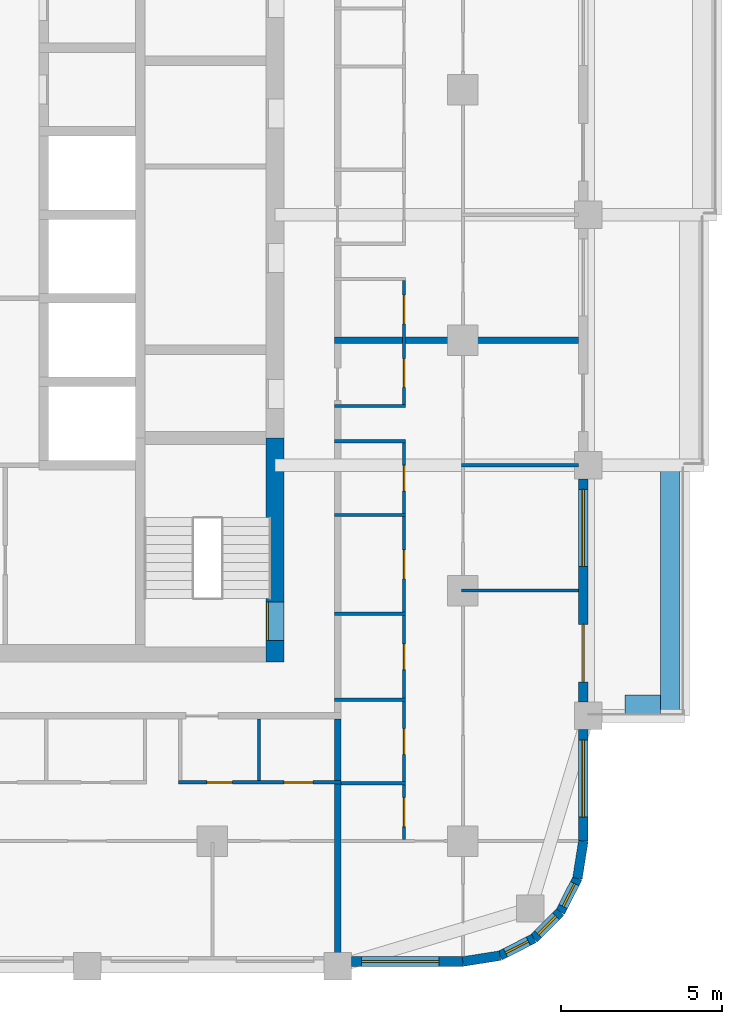
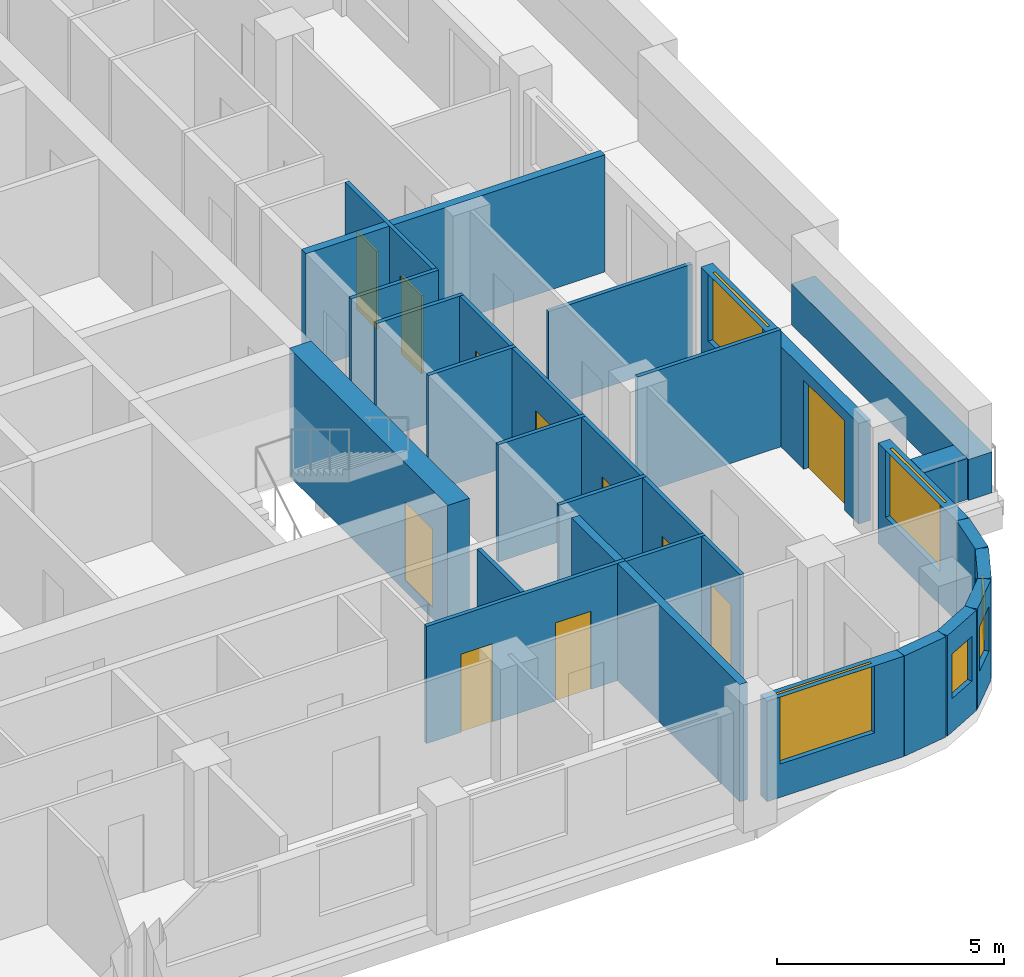
# One storey, part 6 of 13: 25 walls, 11 doors, 6 windows, 17 openings.
"""IFC4 building model written with IfcOpenShell, lengths in metres."""

from ifc_helpers import new_model, si_unit, direction, frame, frame_2d, origin, place, context, subcontext, project, spatial, rectangle, extrude, material, layer, layer_set, type_object, element, fill, save


model = new_model("IFC4")

# Units and contexts
model_context = context("Model", 3, precision=1e-05, world=origin(), true_north=direction((0.0, 1.0)))
body_context = subcontext(model_context, "Body", "Model", "MODEL_VIEW")
ifc_project = project(units=[si_unit("LENGTHUNIT", "METRE"), si_unit("AREAUNIT", "SQUARE_METRE"), si_unit("VOLUMEUNIT", "CUBIC_METRE"), si_unit("PLANEANGLEUNIT", "RADIAN"), si_unit("MASSUNIT", "GRAM", prefix="KILO")], contexts=[model_context])

# Site, building, storey
site_placement = place(None, origin())
site = spatial("IfcSite", under=ifc_project, at=site_placement, CompositionType="ELEMENT")
building_placement = place(site_placement, origin())
building = spatial("IfcBuilding", under=site, at=building_placement, Name="Ludao Terraces", CompositionType="ELEMENT")
storey_placement = place(building_placement, frame((0.0, 0.0, 123.699951171875)))
storey = spatial("IfcBuildingStorey", under=building, at=storey_placement, Name="L33", CompositionType="ELEMENT", Elevation=123.699951171875)

# Wall, opening, door
ifc_material_1 = material(Name="Concrete C60", Category="concrete")
ifc_layer_1 = layer(ifc_material_1, 0.550048828125)
ifc_layer_set_1 = layer_set([ifc_layer_1], Name="Core wall 550 C60")
wall_type_1 = type_object("IfcWallType", Name="Core wall 550 C60", PredefinedType="SOLIDWALL", material=ifc_layer_set_1)
wall_1_placement = place(storey_placement, frame((94.75, 54.97509765625, -0.300048828125), z_axis=(0.0, 0.0, 1.0), x_axis=(0.0, 1.0, 0.0)))
wall_1 = element("IfcWall", 1, at=wall_1_placement, inside=storey, type_object=wall_type_1, Name="Core wall L33 outer-E-S3", PredefinedType="SOLIDWALL", context=body_context, shape_type="SweptSolid", body=[
    extrude(rectangle(XDim=6.974853515625, YDim=0.550048828125, at=frame_2d((3.4873046875, 0.0))), origin(), (0.0, 0.0, 1.0), 3.4501953125),
])
opening_1_placement = place(wall_1_placement, frame((0.675048828125, 0.0, 0.300048828125)))
opening_1 = element("IfcOpeningElement", 2, at=opening_1_placement, cuts=wall_1, Name="Opening R10-029", PredefinedType="OPENING", context=body_context, shape_type="SweptSolid", body=[
    extrude(rectangle(XDim=1.199951171875, YDim=2.10009765625, at=frame_2d((0.60009765625, 1.050048828125))), frame((0.0, 0.28515625, 0.0), z_axis=(0.0, -1.0, 0.0), x_axis=(1.0, 0.0, 0.0)), (0.0, 0.0, 1.0), 0.570068359375),
])
ifc_material_2 = material(Name="Steel Q235", Category="steel")
door_type_1 = type_object("IfcDoorType", Name="INT Stair door 1200", OperationType="DOUBLE_DOOR_SINGLE_SWING", PredefinedType="DOOR", material=ifc_material_2)
door_1_placement = place(opening_1_placement, origin())
door_1 = element("IfcDoor", 3, at=door_1_placement, inside=storey, type_object=door_type_1, Name="DOOR 029", OperationType="DOUBLE_DOOR_SINGLE_SWING", OverallHeight=2.10009765625, OverallWidth=1.199951171875, PredefinedType="DOOR", context=body_context, shape_type="SweptSolid", body=[
    extrude(rectangle(XDim=1.199951171875, YDim=2.10009765625, at=frame_2d((0.60009765625, 1.050048828125))), frame((0.0, 0.26025390625, 0.0), z_axis=(0.0, -1.0, 0.0), x_axis=(1.0, 0.0, 0.0)), (0.0, 0.0, 1.0), 0.050048828125),
])
fill(opening_1, door_1)

# Walls
ifc_material_3 = material(Name="Concrete C40", Category="concrete")
ifc_layer_2 = layer(ifc_material_3, 0.60009765625)
ifc_layer_set_2 = layer_set([ifc_layer_2], Name="ENV Planter trough 600")
wall_type_2 = type_object("IfcWallType", Name="ENV Planter trough 600", PredefinedType="USERDEFINED", material=ifc_layer_set_2)
wall_2_placement = place(storey_placement, frame((107.050048828125, 53.300048828125, 0.0), z_axis=(0.0, 0.0, 1.0), x_axis=(0.0, 1.0, 0.0)))
element("IfcWall", 4, at=wall_2_placement, inside=storey, type_object=wall_type_2, Name="PL-L33-E1", ObjectType="PLANTER", PredefinedType="USERDEFINED", context=body_context, shape_type="SweptSolid", body=[
    extrude(rectangle(XDim=7.800048828125, YDim=0.60009765625, at=frame_2d((3.89990234375, 0.0))), origin(), (0.0, 0.0, 1.0), 1.10009765625),
])
wall_3_placement = place(storey_placement, frame((106.75, 53.64990234375, 0.0), z_axis=(0.0, 0.0, 1.0), x_axis=(-1.0, 0.0, 0.0)))
element("IfcWall", 5, at=wall_3_placement, inside=storey, type_object=wall_type_2, Name="PL-L33-E1-SA", ObjectType="PLANTER", PredefinedType="USERDEFINED", context=body_context, shape_type="SweptSolid", body=[
    extrude(rectangle(XDim=1.10009765625, YDim=0.60009765625, at=frame_2d((0.550048828125, 0.0))), origin(), (0.0, 0.0, 1.0), 1.10009765625),
])

# Wall, opening, window
ifc_material_4 = material(Name="Granite cladding", Category="masonry")
ifc_layer_3 = layer(ifc_material_4, 0.0400390625, Category="stone")
ifc_material_5 = material(Name="Mineral wool")
ifc_layer_4 = layer(ifc_material_5, 0.06005859375)
ifc_layer_5 = layer(ifc_material_3, 0.199951171875, Category="concrete")
ifc_layer_set_3 = layer_set([ifc_layer_3, ifc_layer_4, ifc_layer_5], Name="ENV Stone-clad wall 300")
wall_type_3 = type_object("IfcWallType", Name="ENV Stone-clad wall 300", PredefinedType="SOLIDWALL", material=ifc_layer_set_3)
wall_4_placement = place(storey_placement, frame((97.125, 45.64990234375, 0.0), z_axis=(0.0, 0.0, 1.0), x_axis=(1.0, 0.0, 0.0)))
wall_4 = element("IfcWall", 6, at=wall_4_placement, inside=storey, type_object=wall_type_3, Name="EW-L33-S5", PredefinedType="SOLIDWALL", context=body_context, shape_type="SweptSolid", body=[
    extrude(rectangle(XDim=3.47509765625, YDim=0.300048828125, at=frame_2d((1.737548828125, 0.0))), origin(), (0.0, 0.0, 1.0), 2.699951171875),
])
opening_2_placement = place(wall_4_placement, frame((0.324951171875, 0.0, 0.89990234375)))
opening_2 = element("IfcOpeningElement", 7, at=opening_2_placement, cuts=wall_4, Name="Opening W1", PredefinedType="OPENING", context=body_context, shape_type="SweptSolid", body=[
    extrude(rectangle(XDim=2.39990234375, YDim=1.800048828125, at=frame_2d((1.199951171875, 0.89990234375))), frame((0.0, 0.16015625, 0.0), z_axis=(0.0, -1.0, 0.0), x_axis=(1.0, 0.0, 0.0)), (0.0, 0.0, 1.0), 0.320068359375),
])
ifc_material_6 = material(Name="Clear glass in aluminium frame", Category="aluminium")
ifc_layer_6 = layer(ifc_material_6, 0.06005859375)
ifc_layer_set_4 = layer_set([ifc_layer_6], Name="ENV Window W1 2400x1800")
window_type_1 = type_object("IfcWindowType", Name="ENV Window W1 2400x1800", PartitioningType="DOUBLE_PANEL_VERTICAL", PredefinedType="WINDOW", material=ifc_layer_set_4)
window_1_placement = place(opening_2_placement, origin())
window_1 = element("IfcWindow", 8, at=window_1_placement, inside=storey, type_object=window_type_1, Name="W-L33-S5-1", OverallHeight=1.800048828125, OverallWidth=2.39990234375, PartitioningType="DOUBLE_PANEL_VERTICAL", PredefinedType="WINDOW", context=body_context, shape_type="SweptSolid", body=[
    extrude(rectangle(XDim=2.39990234375, YDim=1.800048828125, at=frame_2d((1.199951171875, 0.89990234375))), frame((0.0, 0.030029296875, 0.0), z_axis=(0.0, -1.0, 0.0), x_axis=(1.0, 0.0, 0.0)), (0.0, 0.0, 1.0), 0.06005859375),
])
fill(opening_2, window_1)

wall_5_placement = place(storey_placement, frame((104.35009765625, 49.39990234375, 0.0), z_axis=(0.0, 0.0, 1.0), x_axis=(0.0, 1.0, 0.0)))
wall_5 = element("IfcWall", 9, at=wall_5_placement, inside=storey, type_object=wall_type_3, Name="EW-L33-E1", PredefinedType="SOLIDWALL", context=body_context, shape_type="SweptSolid", body=[
    extrude(rectangle(XDim=3.47509765625, YDim=0.300048828125, at=frame_2d((1.737548828125, 0.0))), origin(), (0.0, 0.0, 1.0), 2.699951171875),
])
opening_3_placement = place(wall_5_placement, frame((0.75, 0.0, 0.89990234375)))
opening_3 = element("IfcOpeningElement", 10, at=opening_3_placement, cuts=wall_5, Name="Opening W1", PredefinedType="OPENING", context=body_context, shape_type="SweptSolid", body=[
    extrude(rectangle(XDim=2.39990234375, YDim=1.800048828125, at=frame_2d((1.199951171875, 0.89990234375))), frame((0.0, 0.16015625, 0.0), z_axis=(0.0, -1.0, 0.0), x_axis=(1.0, 0.0, 0.0)), (0.0, 0.0, 1.0), 0.320068359375),
])
window_2_placement = place(opening_3_placement, origin())
window_2 = element("IfcWindow", 11, at=window_2_placement, inside=storey, type_object=window_type_1, Name="W-L33-E1-1", OverallHeight=1.800048828125, OverallWidth=2.39990234375, PartitioningType="DOUBLE_PANEL_VERTICAL", PredefinedType="WINDOW", context=body_context, shape_type="SweptSolid", body=[
    extrude(rectangle(XDim=2.39990234375, YDim=1.800048828125, at=frame_2d((1.199951171875, 0.89990234375))), frame((0.0, 0.030029296875, 0.0), z_axis=(0.0, -1.0, 0.0), x_axis=(1.0, 0.0, 0.0)), (0.0, 0.0, 1.0), 0.06005859375),
])
fill(opening_3, window_2)

# Wall, openings, door, window
wall_6_placement = place(storey_placement, frame((104.35009765625, 53.72509765625, 0.0), z_axis=(0.0, 0.0, 1.0), x_axis=(0.0, 1.0, 0.0)))
wall_6 = element("IfcWall", 12, at=wall_6_placement, inside=storey, type_object=wall_type_3, Name="EW-L33-E2", PredefinedType="SOLIDWALL", context=body_context, shape_type="SweptSolid", body=[
    extrude(rectangle(XDim=6.949951171875, YDim=0.300048828125, at=frame_2d((3.47509765625, 0.0))), origin(), (0.0, 0.0, 1.0), 2.699951171875),
])
opening_4_placement = place(wall_6_placement, frame((0.625, 0.0, 0.0)))
opening_4 = element("IfcOpeningElement", 13, at=opening_4_placement, cuts=wall_6, Name="Opening BD", PredefinedType="OPENING", context=body_context, shape_type="SweptSolid", body=[
    extrude(rectangle(XDim=1.800048828125, YDim=2.39990234375, at=frame_2d((0.89990234375, 1.199951171875))), frame((0.0, 0.16015625, 0.0), z_axis=(0.0, -1.0, 0.0), x_axis=(1.0, 0.0, 0.0)), (0.0, 0.0, 1.0), 0.320068359375),
])
opening_5_placement = place(wall_6_placement, frame((4.22509765625, 0.0, 0.89990234375)))
opening_5 = element("IfcOpeningElement", 14, at=opening_5_placement, cuts=wall_6, Name="Opening W1", PredefinedType="OPENING", context=body_context, shape_type="SweptSolid", body=[
    extrude(rectangle(XDim=2.39990234375, YDim=1.800048828125, at=frame_2d((1.199951171875, 0.89990234375))), frame((0.0, 0.16015625, 0.0), z_axis=(0.0, -1.0, 0.0), x_axis=(1.0, 0.0, 0.0)), (0.0, 0.0, 1.0), 0.320068359375),
])
ifc_material_7 = material(Name="Aluminium glazed door", Category="aluminium")
ifc_layer_7 = layer(ifc_material_7, 0.06005859375)
ifc_layer_set_5 = layer_set([ifc_layer_7], Name="ENV Balcony door BD 1800x2400")
door_type_2 = type_object("IfcDoorType", Name="ENV Balcony door BD 1800x2400", OperationType="DOUBLE_DOOR_SINGLE_SWING", PredefinedType="DOOR", material=ifc_layer_set_5)
door_2_placement = place(opening_4_placement, origin())
door_2 = element("IfcDoor", 15, at=door_2_placement, inside=storey, type_object=door_type_2, Name="BD-L33-E2-1", OperationType="DOUBLE_DOOR_SINGLE_SWING", OverallHeight=2.39990234375, OverallWidth=1.800048828125, PredefinedType="DOOR", context=body_context, shape_type="SweptSolid", body=[
    extrude(rectangle(XDim=1.800048828125, YDim=2.39990234375, at=frame_2d((0.89990234375, 1.199951171875))), frame((0.0, 0.02490234375, 0.0), z_axis=(0.0, -1.0, 0.0), x_axis=(1.0, 0.0, 0.0)), (0.0, 0.0, 1.0), 0.050048828125),
])
fill(opening_4, door_2)
window_3_placement = place(opening_5_placement, origin())
window_3 = element("IfcWindow", 16, at=window_3_placement, inside=storey, type_object=window_type_1, Name="W-L33-E2-2", OverallHeight=1.800048828125, OverallWidth=2.39990234375, PartitioningType="DOUBLE_PANEL_VERTICAL", PredefinedType="WINDOW", context=body_context, shape_type="SweptSolid", body=[
    extrude(rectangle(XDim=2.39990234375, YDim=1.800048828125, at=frame_2d((1.199951171875, 0.89990234375))), frame((0.0, 0.030029296875, 0.0), z_axis=(0.0, -1.0, 0.0), x_axis=(1.0, 0.0, 0.0)), (0.0, 0.0, 1.0), 0.06005859375),
])
fill(opening_5, window_3)

# Wall
wall_7_placement = place(storey_placement, frame((100.60009765625, 45.64990234375, 0.0), z_axis=(0.0, 0.0, 1.0), x_axis=(0.987678452879, 0.156496880861, 0.0)))
element("IfcWall", 17, at=wall_7_placement, inside=storey, type_object=wall_type_3, Name="EW-L33-SE1", PredefinedType="SOLIDWALL", context=body_context, shape_type="SweptSolid", body=[
    extrude(rectangle(XDim=1.173095703125, YDim=0.300048828125, at=frame_2d((0.58642578125, 0.0))), origin(), (0.0, 0.0, 1.0), 2.699951171875),
])

# Wall, opening, window
wall_8_placement = place(storey_placement, frame((101.7587890625, 45.83349609375, 0.0), z_axis=(0.0, 0.0, 1.0), x_axis=(0.890988677504, 0.454025524128, 0.0)))
wall_8 = element("IfcWall", 18, at=wall_8_placement, inside=storey, type_object=wall_type_3, Name="EW-L33-SE2", PredefinedType="SOLIDWALL", context=body_context, shape_type="SweptSolid", body=[
    extrude(rectangle(XDim=1.17333984375, YDim=0.300048828125, at=frame_2d((0.586669921875, 0.0))), origin(), (0.0, 0.0, 1.0), 2.699951171875),
])
opening_6_placement = place(wall_8_placement, frame((0.1865234375, 0.0, 0.89990234375)))
opening_6 = element("IfcOpeningElement", 19, at=opening_6_placement, cuts=wall_8, Name="Opening W3", PredefinedType="OPENING", context=body_context, shape_type="SweptSolid", body=[
    extrude(rectangle(XDim=0.800048828125, YDim=1.199951171875, at=frame_2d((0.39990234375, 0.60009765625))), frame((0.0, 0.16015625, 0.0), z_axis=(0.0, -1.0, 0.0), x_axis=(1.0, 0.0, 0.0)), (0.0, 0.0, 1.0), 0.320068359375),
])
ifc_layer_8 = layer(ifc_material_6, 0.06005859375)
ifc_layer_set_6 = layer_set([ifc_layer_8], Name="ENV Window W3 800x1200")
window_type_2 = type_object("IfcWindowType", Name="ENV Window W3 800x1200", PartitioningType="SINGLE_PANEL", PredefinedType="WINDOW", material=ifc_layer_set_6)
window_4_placement = place(opening_6_placement, origin())
window_4 = element("IfcWindow", 20, at=window_4_placement, inside=storey, type_object=window_type_2, Name="W-L33-SE2", OverallHeight=1.199951171875, OverallWidth=0.800048828125, PartitioningType="SINGLE_PANEL", PredefinedType="WINDOW", context=body_context, shape_type="SweptSolid", body=[
    extrude(rectangle(XDim=0.800048828125, YDim=1.199951171875, at=frame_2d((0.39990234375, 0.60009765625))), frame((0.0, 0.030029296875, 0.0), z_axis=(0.0, -1.0, 0.0), x_axis=(1.0, 0.0, 0.0)), (0.0, 0.0, 1.0), 0.06005859375),
])
fill(opening_6, window_4)

wall_9_placement = place(storey_placement, frame((102.80419921875, 46.3662109375, 0.0), z_axis=(0.0, 0.0, 1.0), x_axis=(0.707106781187, 0.707106781187, 0.0)))
wall_9 = element("IfcWall", 21, at=wall_9_placement, inside=storey, type_object=wall_type_3, Name="EW-L33-SE3", PredefinedType="SOLIDWALL", context=body_context, shape_type="SweptSolid", body=[
    extrude(rectangle(XDim=1.173095703125, YDim=0.300048828125, at=frame_2d((0.58642578125, 0.0))), origin(), (0.0, 0.0, 1.0), 2.699951171875),
])
opening_7_placement = place(wall_9_placement, frame((0.1865234375, 0.0, 0.89990234375)))
opening_7 = element("IfcOpeningElement", 22, at=opening_7_placement, cuts=wall_9, Name="Opening W3", PredefinedType="OPENING", context=body_context, shape_type="SweptSolid", body=[
    extrude(rectangle(XDim=0.800048828125, YDim=1.199951171875, at=frame_2d((0.39990234375, 0.60009765625))), frame((0.0, 0.16015625, 0.0), z_axis=(0.0, -1.0, 0.0), x_axis=(1.0, 0.0, 0.0)), (0.0, 0.0, 1.0), 0.320068359375),
])
window_5_placement = place(opening_7_placement, origin())
window_5 = element("IfcWindow", 23, at=window_5_placement, inside=storey, type_object=window_type_2, Name="W-L33-SE3", OverallHeight=1.199951171875, OverallWidth=0.800048828125, PartitioningType="SINGLE_PANEL", PredefinedType="WINDOW", context=body_context, shape_type="SweptSolid", body=[
    extrude(rectangle(XDim=0.800048828125, YDim=1.199951171875, at=frame_2d((0.39990234375, 0.60009765625))), frame((0.0, 0.030029296875, 0.0), z_axis=(0.0, -1.0, 0.0), x_axis=(1.0, 0.0, 0.0)), (0.0, 0.0, 1.0), 0.06005859375),
])
fill(opening_7, window_5)

wall_10_placement = place(storey_placement, frame((103.6337890625, 47.19580078125, 0.0), z_axis=(0.0, 0.0, 1.0), x_axis=(0.454025524128, 0.890988677504, 0.0)))
wall_10 = element("IfcWall", 24, at=wall_10_placement, inside=storey, type_object=wall_type_3, Name="EW-L33-SE4", PredefinedType="SOLIDWALL", context=body_context, shape_type="SweptSolid", body=[
    extrude(rectangle(XDim=1.17333984375, YDim=0.300048828125, at=frame_2d((0.586669921875, 0.0))), origin(), (0.0, 0.0, 1.0), 2.699951171875),
])
opening_8_placement = place(wall_10_placement, frame((0.1865234375, 0.0, 0.89990234375)))
opening_8 = element("IfcOpeningElement", 25, at=opening_8_placement, cuts=wall_10, Name="Opening W3", PredefinedType="OPENING", context=body_context, shape_type="SweptSolid", body=[
    extrude(rectangle(XDim=0.800048828125, YDim=1.199951171875, at=frame_2d((0.39990234375, 0.60009765625))), frame((0.0, 0.16015625, 0.0), z_axis=(0.0, -1.0, 0.0), x_axis=(1.0, 0.0, 0.0)), (0.0, 0.0, 1.0), 0.320068359375),
])
window_6_placement = place(opening_8_placement, origin())
window_6 = element("IfcWindow", 26, at=window_6_placement, inside=storey, type_object=window_type_2, Name="W-L33-SE4", OverallHeight=1.199951171875, OverallWidth=0.800048828125, PartitioningType="SINGLE_PANEL", PredefinedType="WINDOW", context=body_context, shape_type="SweptSolid", body=[
    extrude(rectangle(XDim=0.800048828125, YDim=1.199951171875, at=frame_2d((0.39990234375, 0.60009765625))), frame((0.0, 0.030029296875, 0.0), z_axis=(0.0, -1.0, 0.0), x_axis=(1.0, 0.0, 0.0)), (0.0, 0.0, 1.0), 0.06005859375),
])
fill(opening_8, window_6)

# Walls
wall_11_placement = place(storey_placement, frame((104.16650390625, 48.2412109375, 0.0), z_axis=(0.0, 0.0, 1.0), x_axis=(0.156496880861, 0.987678452879, 0.0)))
element("IfcWall", 27, at=wall_11_placement, inside=storey, type_object=wall_type_3, Name="EW-L33-SE5", PredefinedType="SOLIDWALL", context=body_context, shape_type="SweptSolid", body=[
    extrude(rectangle(XDim=1.173095703125, YDim=0.300048828125, at=frame_2d((0.58642578125, 0.0))), origin(), (0.0, 0.0, 1.0), 2.699951171875),
])
ifc_material_8 = material(Name="Gypsum plasterboard", Category="gypsum")
ifc_layer_9 = layer(ifc_material_8, 0.012451171875, Category="gypsum")
ifc_layer_10 = layer(ifc_material_5, 0.06005859375, Name="insulation")
ifc_layer_11 = layer(ifc_material_2, 0.014892578125, Name="stud")
ifc_layer_12 = layer(ifc_material_8, 0.012451171875, Category="gypsum")
ifc_layer_set_7 = layer_set([ifc_layer_9, ifc_layer_10, ifc_layer_11, ifc_layer_12], Name="INT Partition 100")
wall_type_4 = type_object("IfcWallType", Name="INT Partition 100", PredefinedType="PARTITIONING", material=ifc_layer_set_7)
wall_12_placement = place(storey_placement, frame((96.800048828125, 51.199951171875, 0.0), z_axis=(0.0, 0.0, 1.0), x_axis=(1.0, 0.0, 0.0)))
element("IfcWall", 28, at=wall_12_placement, inside=storey, type_object=wall_type_4, Name="PW-L33-PW001", PredefinedType="PARTITIONING", context=body_context, shape_type="SweptSolid", body=[
    extrude(rectangle(XDim=2.02001953125, YDim=0.10009765625, at=frame_2d((1.010009765625, 0.0))), origin(), (0.0, 0.0, 1.0), 3.150146484375),
])

# Wall, openings, doors
wall_13_placement = place(storey_placement, frame((91.75, 51.22998046875, 0.0), z_axis=(0.0, 0.0, 1.0), x_axis=(1.0, 0.0, 0.0)))
wall_13 = element("IfcWall", 29, at=wall_13_placement, inside=storey, type_object=wall_type_4, Name="PW-L33-PW004", PredefinedType="PARTITIONING", context=body_context, shape_type="SweptSolid", body=[
    extrude(rectangle(XDim=5.050048828125, YDim=0.10009765625, at=frame_2d((2.52490234375, 0.0))), origin(), (0.0, 0.0, 1.0), 3.150146484375),
])
opening_9_placement = place(wall_13_placement, frame((0.875, 0.0, 0.0)))
opening_9 = element("IfcOpeningElement", 30, at=opening_9_placement, cuts=wall_13, Name="Opening R10-018", PredefinedType="OPENING", context=body_context, shape_type="SweptSolid", body=[
    extrude(rectangle(XDim=0.800048828125, YDim=2.10009765625, at=frame_2d((0.39990234375, 1.050048828125))), frame((0.0, 0.06005859375, 0.0), z_axis=(0.0, -1.0, 0.0), x_axis=(1.0, 0.0, 0.0)), (0.0, 0.0, 1.0), 0.1201171875),
])
opening_10_placement = place(wall_13_placement, frame((3.275146484375, 0.0, 0.0)))
opening_10 = element("IfcOpeningElement", 31, at=opening_10_placement, cuts=wall_13, Name="Opening R10-019", PredefinedType="OPENING", context=body_context, shape_type="SweptSolid", body=[
    extrude(rectangle(XDim=0.89990234375, YDim=2.10009765625, at=frame_2d((0.449951171875, 1.050048828125))), frame((0.0, 0.06005859375, 0.0), z_axis=(0.0, -1.0, 0.0), x_axis=(1.0, 0.0, 0.0)), (0.0, 0.0, 1.0), 0.1201171875),
])
ifc_material_9 = material(Name="Timber door leaf", Category="wood")
door_type_3 = type_object("IfcDoorType", Name="INT Bathroom door 900", OperationType="SINGLE_SWING_LEFT", PredefinedType="DOOR", material=ifc_material_9)
door_3_placement = place(opening_10_placement, origin())
door_3 = element("IfcDoor", 32, at=door_3_placement, inside=storey, type_object=door_type_3, Name="DOOR 019", OperationType="SINGLE_SWING_RIGHT", OverallHeight=2.10009765625, OverallWidth=0.89990234375, PredefinedType="DOOR", context=body_context, shape_type="SweptSolid", body=[
    extrude(rectangle(XDim=0.89990234375, YDim=2.10009765625, at=frame_2d((0.449951171875, 1.050048828125))), frame((0.0, 0.02490234375, 0.0), z_axis=(0.0, -1.0, 0.0), x_axis=(1.0, 0.0, 0.0)), (0.0, 0.0, 1.0), 0.050048828125),
])
fill(opening_10, door_3)
door_type_4 = type_object("IfcDoorType", Name="INT Store door 800", OperationType="SINGLE_SWING_LEFT", PredefinedType="DOOR", material=ifc_material_9)
door_4_placement = place(opening_9_placement, origin())
door_4 = element("IfcDoor", 33, at=door_4_placement, inside=storey, type_object=door_type_4, Name="DOOR 018", OperationType="SINGLE_SWING_LEFT", OverallHeight=2.10009765625, OverallWidth=0.800048828125, PredefinedType="DOOR", context=body_context, shape_type="SweptSolid", body=[
    extrude(rectangle(XDim=0.800048828125, YDim=2.10009765625, at=frame_2d((0.39990234375, 1.050048828125))), frame((0.0, 0.02490234375, 0.0), z_axis=(0.0, -1.0, 0.0), x_axis=(1.0, 0.0, 0.0)), (0.0, 0.0, 1.0), 0.050048828125),
])
fill(opening_9, door_4)

# Walls
for number, where, z_axis, x_axis, name in (
    (34, (96.60009765625, 53.800048828125, 0.0), (0.0, 0.0, 1.0), (1.0, 0.0, 0.0), "PW-L33-PW008"),
    (35, (96.60009765625, 56.47998046875, 0.0), (0.0, 0.0, 1.0), (1.0, 0.0, 0.0), "PW-L33-PW011"),
):
    element("IfcWall", number, at=place(storey_placement, frame(where, z_axis=z_axis, x_axis=x_axis)), inside=storey, type_object=wall_type_4, Name=name, PredefinedType="PARTITIONING", context=body_context, shape_type="SweptSolid", body=[
        extrude(rectangle(XDim=2.219970703125, YDim=0.10009765625, at=frame_2d((1.10986328125, 0.0))), origin(), (0.0, 0.0, 1.0), 3.150146484375),
    ])
wall_14_placement = place(storey_placement, frame((100.550048828125, 57.199951171875, 0.0), z_axis=(0.0, 0.0, 1.0), x_axis=(1.0, 0.0, 0.0)))
element("IfcWall", 36, at=wall_14_placement, inside=storey, type_object=wall_type_4, Name="PW-L33-PW013", PredefinedType="PARTITIONING", context=body_context, shape_type="SweptSolid", body=[
    extrude(rectangle(XDim=3.650146484375, YDim=0.10009765625, at=frame_2d((1.8251953125, 0.0))), origin(), (0.0, 0.0, 1.0), 3.150146484375),
])
wall_15_placement = place(storey_placement, frame((96.60009765625, 59.550048828125, 0.0), z_axis=(0.0, 0.0, 1.0), x_axis=(1.0, 0.0, 0.0)))
element("IfcWall", 37, at=wall_15_placement, inside=storey, type_object=wall_type_4, Name="PW-L33-PW015", PredefinedType="PARTITIONING", context=body_context, shape_type="SweptSolid", body=[
    extrude(rectangle(XDim=2.219970703125, YDim=0.10009765625, at=frame_2d((1.10986328125, 0.0))), origin(), (0.0, 0.0, 1.0), 3.150146484375),
])
wall_16_placement = place(storey_placement, frame((100.550048828125, 61.10009765625, 0.0), z_axis=(0.0, 0.0, 1.0), x_axis=(1.0, 0.0, 0.0)))
element("IfcWall", 38, at=wall_16_placement, inside=storey, type_object=wall_type_4, Name="PW-L33-PW018", PredefinedType="PARTITIONING", context=body_context, shape_type="SweptSolid", body=[
    extrude(rectangle(XDim=3.650146484375, YDim=0.10009765625, at=frame_2d((1.8251953125, 0.0))), origin(), (0.0, 0.0, 1.0), 2.550048828125),
])
for number, where, z_axis, x_axis, name in (
    (39, (96.60009765625, 61.85009765625, 0.0), (0.0, 0.0, 1.0), (1.0, 0.0, 0.0), "PW-L33-PW019"),
    (40, (96.60009765625, 62.949951171875, 0.0), (0.0, 0.0, 1.0), (1.0, 0.0, 0.0), "PW-L33-PW020"),
):
    element("IfcWall", number, at=place(storey_placement, frame(where, z_axis=z_axis, x_axis=x_axis)), inside=storey, type_object=wall_type_4, Name=name, PredefinedType="PARTITIONING", context=body_context, shape_type="SweptSolid", body=[
        extrude(rectangle(XDim=2.219970703125, YDim=0.10009765625, at=frame_2d((1.10986328125, 0.0))), origin(), (0.0, 0.0, 1.0), 3.150146484375),
    ])
wall_17_placement = place(storey_placement, frame((94.25, 51.280029296875, 0.0), z_axis=(0.0, 0.0, 1.0), x_axis=(0.0, 1.0, 0.0)))
element("IfcWall", 41, at=wall_17_placement, inside=storey, type_object=wall_type_4, Name="PW-L33-PW065", PredefinedType="PARTITIONING", context=body_context, shape_type="SweptSolid", body=[
    extrude(rectangle(XDim=1.920166015625, YDim=0.10009765625, at=frame_2d((0.9599609375, 0.0))), origin(), (0.0, 0.0, 1.0), 3.150146484375),
])

# Wall, openings, doors
wall_18_placement = place(storey_placement, frame((98.77001953125, 49.4501953125, 0.0), z_axis=(0.0, 0.0, 1.0), x_axis=(0.0, 1.0, 0.0)))
wall_18 = element("IfcWall", 42, at=wall_18_placement, inside=storey, type_object=wall_type_4, Name="PW-L33-PW068", PredefinedType="PARTITIONING", context=body_context, shape_type="SweptSolid", body=[
    extrude(rectangle(XDim=12.349853515625, YDim=0.10009765625, at=frame_2d((6.1748046875, 0.0))), origin(), (0.0, 0.0, 1.0), 3.150146484375),
])
opening_11_placement = place(wall_18_placement, frame((0.39990234375, 0.0, 0.0)))
opening_11 = element("IfcOpeningElement", 43, at=opening_11_placement, cuts=wall_18, Name="Opening R10-010", PredefinedType="OPENING", context=body_context, shape_type="SweptSolid", body=[
    extrude(rectangle(XDim=0.89990234375, YDim=2.10009765625, at=frame_2d((0.449951171875, 1.050048828125))), frame((0.0, 0.06005859375, 0.0), z_axis=(0.0, -1.0, 0.0), x_axis=(1.0, 0.0, 0.0)), (0.0, 0.0, 1.0), 0.1201171875),
])
opening_12_placement = place(wall_18_placement, frame((2.64990234375, 0.0, 0.0)))
opening_12 = element("IfcOpeningElement", 44, at=opening_12_placement, cuts=wall_18, Name="Opening R10-021", PredefinedType="OPENING", context=body_context, shape_type="SweptSolid", body=[
    extrude(rectangle(XDim=0.800048828125, YDim=2.10009765625, at=frame_2d((0.39990234375, 1.050048828125))), frame((0.0, 0.06005859375, 0.0), z_axis=(0.0, -1.0, 0.0), x_axis=(1.0, 0.0, 0.0)), (0.0, 0.0, 1.0), 0.1201171875),
])
opening_13_placement = place(wall_18_placement, frame((5.289794921875, 0.0, 0.0)))
opening_13 = element("IfcOpeningElement", 45, at=opening_13_placement, cuts=wall_18, Name="Opening R10-026", PredefinedType="OPENING", context=body_context, shape_type="SweptSolid", body=[
    extrude(rectangle(XDim=0.800048828125, YDim=2.10009765625, at=frame_2d((0.39990234375, 1.050048828125))), frame((0.0, 0.06005859375, 0.0), z_axis=(0.0, -1.0, 0.0), x_axis=(1.0, 0.0, 0.0)), (0.0, 0.0, 1.0), 0.1201171875),
])
opening_14_placement = place(wall_18_placement, frame((8.114990234375, 0.0, 0.0)))
opening_14 = element("IfcOpeningElement", 46, at=opening_14_placement, cuts=wall_18, Name="Opening R10-032", PredefinedType="OPENING", context=body_context, shape_type="SweptSolid", body=[
    extrude(rectangle(XDim=0.89990234375, YDim=2.10009765625, at=frame_2d((0.449951171875, 1.050048828125))), frame((0.0, 0.06005859375, 0.0), z_axis=(0.0, -1.0, 0.0), x_axis=(1.0, 0.0, 0.0)), (0.0, 0.0, 1.0), 0.1201171875),
])
opening_15_placement = place(wall_18_placement, frame((10.849853515625, 0.0, 0.0)))
opening_15 = element("IfcOpeningElement", 47, at=opening_15_placement, cuts=wall_18, Name="Opening R10-037", PredefinedType="OPENING", context=body_context, shape_type="SweptSolid", body=[
    extrude(rectangle(XDim=0.800048828125, YDim=2.10009765625, at=frame_2d((0.39990234375, 1.050048828125))), frame((0.0, 0.06005859375, 0.0), z_axis=(0.0, -1.0, 0.0), x_axis=(1.0, 0.0, 0.0)), (0.0, 0.0, 1.0), 0.1201171875),
])
door_5_placement = place(opening_11_placement, origin())
door_5 = element("IfcDoor", 48, at=door_5_placement, inside=storey, type_object=door_type_3, Name="DOOR 010", OperationType="SINGLE_SWING_LEFT", OverallHeight=2.10009765625, OverallWidth=0.89990234375, PredefinedType="DOOR", context=body_context, shape_type="SweptSolid", body=[
    extrude(rectangle(XDim=0.89990234375, YDim=2.10009765625, at=frame_2d((0.449951171875, 1.050048828125))), frame((0.0, 0.02490234375, 0.0), z_axis=(0.0, -1.0, 0.0), x_axis=(1.0, 0.0, 0.0)), (0.0, 0.0, 1.0), 0.050048828125),
])
fill(opening_11, door_5)
door_type_5 = type_object("IfcDoorType", Name="INT Room door 900", OperationType="SINGLE_SWING_LEFT", PredefinedType="DOOR", material=ifc_material_9)
door_6_placement = place(opening_14_placement, origin())
door_6 = element("IfcDoor", 49, at=door_6_placement, inside=storey, type_object=door_type_5, Name="DOOR 032", OperationType="SINGLE_SWING_LEFT", OverallHeight=2.10009765625, OverallWidth=0.89990234375, PredefinedType="DOOR", context=body_context, shape_type="SweptSolid", body=[
    extrude(rectangle(XDim=0.89990234375, YDim=2.10009765625, at=frame_2d((0.449951171875, 1.050048828125))), frame((0.0, 0.02490234375, 0.0), z_axis=(0.0, -1.0, 0.0), x_axis=(1.0, 0.0, 0.0)), (0.0, 0.0, 1.0), 0.050048828125),
])
fill(opening_14, door_6)
door_7_placement = place(opening_12_placement, origin())
door_7 = element("IfcDoor", 50, at=door_7_placement, inside=storey, type_object=door_type_4, Name="DOOR 021", OperationType="SINGLE_SWING_LEFT", OverallHeight=2.10009765625, OverallWidth=0.800048828125, PredefinedType="DOOR", context=body_context, shape_type="SweptSolid", body=[
    extrude(rectangle(XDim=0.800048828125, YDim=2.10009765625, at=frame_2d((0.39990234375, 1.050048828125))), frame((0.0, 0.02490234375, 0.0), z_axis=(0.0, -1.0, 0.0), x_axis=(1.0, 0.0, 0.0)), (0.0, 0.0, 1.0), 0.050048828125),
])
fill(opening_12, door_7)
door_8_placement = place(opening_13_placement, origin())
door_8 = element("IfcDoor", 51, at=door_8_placement, inside=storey, type_object=door_type_4, Name="DOOR 026", OperationType="SINGLE_SWING_LEFT", OverallHeight=2.10009765625, OverallWidth=0.800048828125, PredefinedType="DOOR", context=body_context, shape_type="SweptSolid", body=[
    extrude(rectangle(XDim=0.800048828125, YDim=2.10009765625, at=frame_2d((0.39990234375, 1.050048828125))), frame((0.0, 0.02490234375, 0.0), z_axis=(0.0, -1.0, 0.0), x_axis=(1.0, 0.0, 0.0)), (0.0, 0.0, 1.0), 0.050048828125),
])
fill(opening_13, door_8)
door_9_placement = place(opening_15_placement, origin())
door_9 = element("IfcDoor", 52, at=door_9_placement, inside=storey, type_object=door_type_4, Name="DOOR 037", OperationType="SINGLE_SWING_RIGHT", OverallHeight=2.10009765625, OverallWidth=0.800048828125, PredefinedType="DOOR", context=body_context, shape_type="SweptSolid", body=[
    extrude(rectangle(XDim=0.800048828125, YDim=2.10009765625, at=frame_2d((0.39990234375, 1.050048828125))), frame((0.0, 0.02490234375, 0.0), z_axis=(0.0, -1.0, 0.0), x_axis=(1.0, 0.0, 0.0)), (0.0, 0.0, 1.0), 0.050048828125),
])
fill(opening_15, door_9)

wall_19_placement = place(storey_placement, frame((98.77001953125, 63.0, 0.0), z_axis=(0.0, 0.0, 1.0), x_axis=(0.0, 1.0, 0.0)))
wall_19 = element("IfcWall", 53, at=wall_19_placement, inside=storey, type_object=wall_type_4, Name="PW-L33-PW069", PredefinedType="PARTITIONING", context=body_context, shape_type="SweptSolid", body=[
    extrude(rectangle(XDim=3.85009765625, YDim=0.10009765625, at=frame_2d((1.925048828125, 0.0))), origin(), (0.0, 0.0, 1.0), 3.150146484375),
])
opening_16_placement = place(wall_19_placement, frame((0.525146484375, 0.0, 0.0)))
opening_16 = element("IfcOpeningElement", 54, at=opening_16_placement, cuts=wall_19, Name="Opening R10-045", PredefinedType="OPENING", context=body_context, shape_type="SweptSolid", body=[
    extrude(rectangle(XDim=0.89990234375, YDim=2.10009765625, at=frame_2d((0.449951171875, 1.050048828125))), frame((0.0, 0.06005859375, 0.0), z_axis=(0.0, -1.0, 0.0), x_axis=(1.0, 0.0, 0.0)), (0.0, 0.0, 1.0), 0.1201171875),
])
opening_17_placement = place(wall_19_placement, frame((2.5, 0.0, 0.0)))
opening_17 = element("IfcOpeningElement", 55, at=opening_17_placement, cuts=wall_19, Name="Opening R10-048", PredefinedType="OPENING", context=body_context, shape_type="SweptSolid", body=[
    extrude(rectangle(XDim=0.89990234375, YDim=2.10009765625, at=frame_2d((0.449951171875, 1.050048828125))), frame((0.0, 0.06005859375, 0.0), z_axis=(0.0, -1.0, 0.0), x_axis=(1.0, 0.0, 0.0)), (0.0, 0.0, 1.0), 0.1201171875),
])
door_10_placement = place(opening_16_placement, origin())
door_10 = element("IfcDoor", 56, at=door_10_placement, inside=storey, type_object=door_type_3, Name="DOOR 045", OperationType="SINGLE_SWING_RIGHT", OverallHeight=2.10009765625, OverallWidth=0.89990234375, PredefinedType="DOOR", context=body_context, shape_type="SweptSolid", body=[
    extrude(rectangle(XDim=0.89990234375, YDim=2.10009765625, at=frame_2d((0.449951171875, 1.050048828125))), frame((0.0, 0.02490234375, 0.0), z_axis=(0.0, -1.0, 0.0), x_axis=(1.0, 0.0, 0.0)), (0.0, 0.0, 1.0), 0.050048828125),
])
fill(opening_16, door_10)
door_11_placement = place(opening_17_placement, origin())
door_11 = element("IfcDoor", 57, at=door_11_placement, inside=storey, type_object=door_type_3, Name="DOOR 048", OperationType="SINGLE_SWING_LEFT", OverallHeight=2.10009765625, OverallWidth=0.89990234375, PredefinedType="DOOR", context=body_context, shape_type="SweptSolid", body=[
    extrude(rectangle(XDim=0.89990234375, YDim=2.10009765625, at=frame_2d((0.449951171875, 1.050048828125))), frame((0.0, 0.02490234375, 0.0), z_axis=(0.0, -1.0, 0.0), x_axis=(1.0, 0.0, 0.0)), (0.0, 0.0, 1.0), 0.050048828125),
])
fill(opening_17, door_11)

# Walls
ifc_material_10 = material(Name="Autoclaved aerated concrete block B06 A3.5", Category="concrete")
ifc_layer_13 = layer(ifc_material_10, 0.199951171875)
ifc_layer_set_8 = layer_set([ifc_layer_13], Name="INT Party wall 200")
wall_type_5 = type_object("IfcWallType", Name="INT Party wall 200", PredefinedType="PARTITIONING", material=ifc_layer_set_8)
wall_20_placement = place(storey_placement, frame((96.60009765625, 65.0, 0.0), z_axis=(0.0, 0.0, 1.0), x_axis=(1.0, 0.0, 0.0)))
element("IfcWall", 58, at=wall_20_placement, inside=storey, type_object=wall_type_5, Name="PW-L33-PW022", PredefinedType="PARTITIONING", context=body_context, shape_type="SweptSolid", body=[
    extrude(rectangle(XDim=7.60009765625, YDim=0.199951171875, at=frame_2d((3.800048828125, 0.0))), origin(), (0.0, 0.0, 1.0), 3.150146484375),
])
wall_21_placement = place(storey_placement, frame((96.699951171875, 45.800048828125, 0.0), z_axis=(0.0, 0.0, 1.0), x_axis=(0.0, 1.0, 0.0)))
element("IfcWall", 59, at=wall_21_placement, inside=storey, type_object=wall_type_5, Name="PW-L33-PW066", PredefinedType="PARTITIONING", context=body_context, shape_type="SweptSolid", body=[
    extrude(rectangle(XDim=7.400146484375, YDim=0.199951171875, at=frame_2d((3.7001953125, 0.0))), origin(), (0.0, 0.0, 1.0), 3.150146484375),
])

save(model, "model.ifc")
